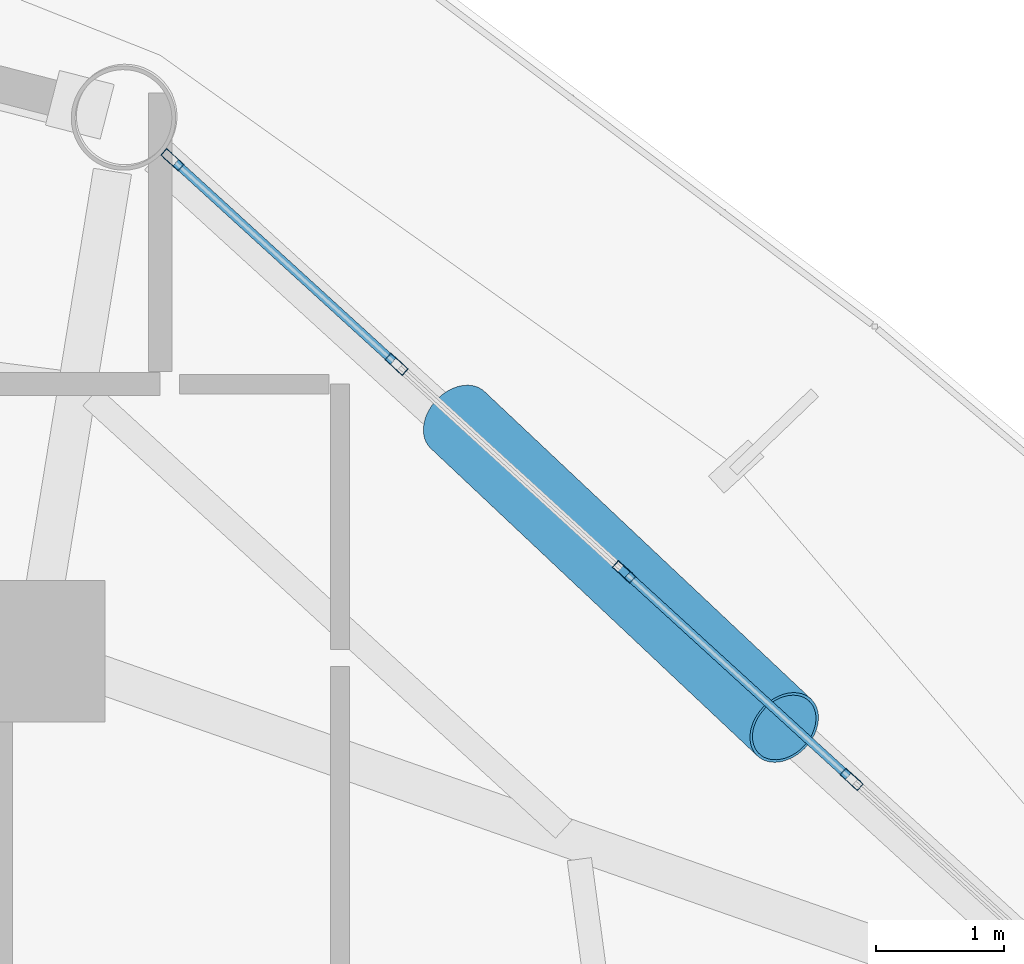
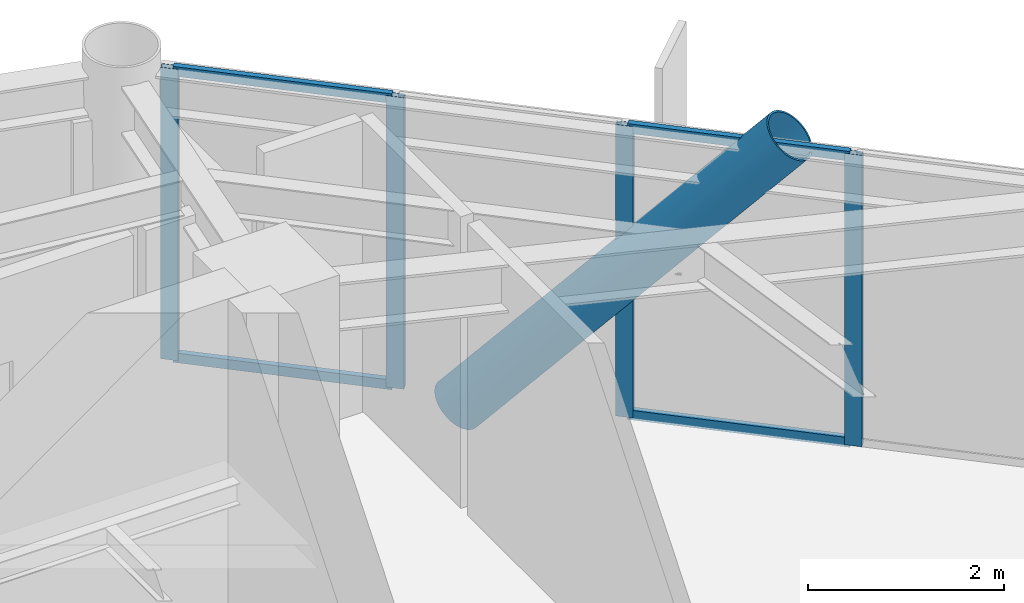
# One storey, part 17 of 23: 9 members, 1 element without a shape of its own.
"""IFC4 building model written with IfcOpenShell, lengths in metres."""

from ifc_helpers import new_model, si_unit, direction, frame, origin, origin_2d, place, context, subcontext, project, spatial, hollow_rectangle, hollow_circle, extrude, material, layer, layer_set, material_profile, profile_set, type_object, element, aggregate, save


model = new_model("IFC4")

# Units and contexts
model_context = context("Model", 3, precision=1e-05, world=origin(), true_north=direction((0.0, 1.0)))
body_context = subcontext(model_context, "Body", "Model", "MODEL_VIEW")
ifc_project = project(units=[si_unit("LENGTHUNIT", "METRE"), si_unit("AREAUNIT", "SQUARE_METRE"), si_unit("VOLUMEUNIT", "CUBIC_METRE"), si_unit("PLANEANGLEUNIT", "RADIAN"), si_unit("MASSUNIT", "GRAM", prefix="KILO")], contexts=[model_context])

# Site, building, storey
site_placement = place(None, origin())
site = spatial("IfcSite", under=ifc_project, at=site_placement, CompositionType="ELEMENT")
building_placement = place(site_placement, origin())
building = spatial("IfcBuilding", under=site, at=building_placement, Name="Varnakorn Sky Granary", CompositionType="ELEMENT")
storey_placement = place(building_placement, frame((0.0, 0.0, 114.89990234375)))
storey = spatial("IfcBuildingStorey", under=building, at=storey_placement, Name="L28", CompositionType="ELEMENT", Elevation=114.89990234375)

# Curtain wall, members
ifc_material_1 = material(Name="Anodised Bronze Aluminium Alloy 6063-T6", Category="aluminium")
ifc_layer = layer(ifc_material_1, 0.179931640625, Name="Anodised Bronze Aluminium Alloy 6063-T6")
ifc_layer_set = layer_set([ifc_layer], Name="Anodised Bronze Aluminium Alloy 6063-T6")
curtain_wall_type = type_object("IfcCurtainWallType", Name="CW-FRM-2", PredefinedType="USERDEFINED", material=ifc_layer_set)
curtain_wall_placement = place(storey_placement, origin())
curtain_wall = element("IfcCurtainWall", 1, at=curtain_wall_placement, inside=storey, type_object=curtain_wall_type, Name="Unitised Curtain Wall CW4 CW-L28-B02", ObjectType="CURTAIN WALL", PredefinedType="USERDEFINED")
ifc_material_profile_1 = material_profile(ifc_material_1, hollow_rectangle(XDim=0.070068359375, YDim=0.18505859375, WallThickness=0.00390625, at=origin_2d()), Name="ALU MULL 70x185")
ifc_profile_set_1 = profile_set([ifc_material_profile_1], Name="Anodised Bronze Aluminium Alloy 6063-T6")
member_type_1 = type_object("IfcMemberType", Name="CW-FRM-2-MULL", PredefinedType="MULLION", material=ifc_profile_set_1)
member_1_placement = place(storey_placement, frame((9.49462890625, 16.447265625, 0.0), z_axis=(0.0, 0.0, 1.0), x_axis=(0.673924759752, 0.738799985242, 0.0)))
member_1 = element("IfcMember", 2, at=member_1_placement, type_object=member_type_1, Name="CW4 mullion 1", PredefinedType="MULLION", context=body_context, shape_type="SweptSolid", body=[
    extrude(hollow_rectangle(XDim=0.070068359375, YDim=0.18505859375, WallThickness=0.00390625, at=origin_2d()), origin(), (0.0, 0.0, 1.0), 3.64013671875),
])
member_2_placement = place(storey_placement, frame((11.24072265625, 14.8544921875, 0.0), z_axis=(0.0, 0.0, 1.0), x_axis=(0.673924759752, 0.738799985242, 0.0)))
member_2 = element("IfcMember", 3, at=member_2_placement, type_object=member_type_1, Name="CW4 mullion 2", PredefinedType="MULLION", context=body_context, shape_type="SweptSolid", body=[
    extrude(hollow_rectangle(XDim=0.070068359375, YDim=0.18505859375, WallThickness=0.00390625, at=origin_2d()), origin(), (0.0, 0.0, 1.0), 3.64013671875),
])
member_3_placement = place(storey_placement, frame((13.0126953125, 13.238037109375, 0.0), z_axis=(0.0, 0.0, 1.0), x_axis=(0.673924759752, 0.738799985242, 0.0)))
member_3 = element("IfcMember", 4, at=member_3_placement, type_object=member_type_1, Name="CW4 mullion 3", PredefinedType="MULLION", context=body_context, shape_type="SweptSolid", body=[
    extrude(hollow_rectangle(XDim=0.070068359375, YDim=0.18505859375, WallThickness=0.00390625, at=origin_2d()), origin(), (0.0, 0.0, 1.0), 3.64013671875),
])
member_4_placement = place(storey_placement, frame((14.78466796875, 11.621826171875, 0.0), z_axis=(0.0, 0.0, 1.0), x_axis=(0.673924759752, 0.738799985242, 0.0)))
member_4 = element("IfcMember", 5, at=member_4_placement, type_object=member_type_1, Name="CW4 mullion 4", PredefinedType="MULLION", context=body_context, shape_type="SweptSolid", body=[
    extrude(hollow_rectangle(XDim=0.070068359375, YDim=0.18505859375, WallThickness=0.00390625, at=origin_2d()), origin(), (0.0, 0.0, 1.0), 3.64013671875),
])
ifc_material_profile_2 = material_profile(ifc_material_1, hollow_rectangle(XDim=0.06494140625, YDim=0.1201171875, WallThickness=0.00341796875, at=origin_2d()), Name="ALU TRAN 65x120")
ifc_profile_set_2 = profile_set([ifc_material_profile_2], Name="Anodised Bronze Aluminium Alloy 6063-T6")
member_type_2 = type_object("IfcMemberType", Name="CW-FRM-2-TRAN", PredefinedType="USERDEFINED", material=ifc_profile_set_2)
member_5_placement = place(storey_placement, frame((9.5205078125, 16.423828125, 0.03271484375), z_axis=(0.738778112969, -0.673948736773, 0.0), x_axis=(0.673948736773, 0.738778112969, 0.0)))
member_5 = element("IfcMember", 6, at=member_5_placement, type_object=member_type_2, Name="CW4 transom 1.1", ObjectType="TRANSOM", PredefinedType="USERDEFINED", context=body_context, shape_type="SweptSolid", body=[
    extrude(hollow_rectangle(XDim=0.06494140625, YDim=0.1201171875, WallThickness=0.00341796875, at=origin_2d()), origin(), (0.0, 0.0, 1.0), 2.29345703125),
])
member_6_placement = place(storey_placement, frame((9.5205078125, 16.423828125, 3.607666015625), z_axis=(0.738778112969, -0.673948736773, 0.0), x_axis=(0.673948736773, 0.738778112969, 0.0)))
member_6 = element("IfcMember", 7, at=member_6_placement, type_object=member_type_2, Name="CW4 transom 1.2", ObjectType="TRANSOM", PredefinedType="USERDEFINED", context=body_context, shape_type="SweptSolid", body=[
    extrude(hollow_rectangle(XDim=0.06494140625, YDim=0.1201171875, WallThickness=0.00341796875, at=origin_2d()), origin(), (0.0, 0.0, 1.0), 2.29345703125),
])
member_7_placement = place(storey_placement, frame((13.03857421875, 13.214599609375, 0.03271484375), z_axis=(0.738762361329, -0.673966003211, 0.0), x_axis=(0.673966003211, 0.738762361329, 0.0)))
member_7 = element("IfcMember", 8, at=member_7_placement, type_object=member_type_2, Name="CW4 transom 3.1", ObjectType="TRANSOM", PredefinedType="USERDEFINED", context=body_context, shape_type="SweptSolid", body=[
    extrude(hollow_rectangle(XDim=0.06494140625, YDim=0.1201171875, WallThickness=0.00341796875, at=origin_2d()), origin(), (0.0, 0.0, 1.0), 2.32861328125),
])
member_8_placement = place(storey_placement, frame((13.03857421875, 13.214599609375, 3.607666015625), z_axis=(0.738762361329, -0.673966003211, 0.0), x_axis=(0.673966003211, 0.738762361329, 0.0)))
member_8 = element("IfcMember", 9, at=member_8_placement, type_object=member_type_2, Name="CW4 transom 3.2", ObjectType="TRANSOM", PredefinedType="USERDEFINED", context=body_context, shape_type="SweptSolid", body=[
    extrude(hollow_rectangle(XDim=0.06494140625, YDim=0.1201171875, WallThickness=0.00341796875, at=origin_2d()), origin(), (0.0, 0.0, 1.0), 2.32861328125),
])
aggregate(curtain_wall, [member_1, member_2, member_3, member_4, member_5, member_6, member_7, member_8])

# Member
ifc_material_2 = material(Name="Steel S460M", Category="steel")
ifc_material_profile_3 = material_profile(ifc_material_2, hollow_circle(Radius=0.304931640625, WallThickness=0.022216796875, at=origin_2d()), Name="CHS 610x22")
ifc_profile_set_3 = profile_set([ifc_material_profile_3], Name="Steel S460M")
member_type_3 = type_object("IfcMemberType", Name="MB-DIAG-T1", PredefinedType="BRACE", material=ifc_profile_set_3)
member_9_placement = place(storey_placement, frame((11.71630859375, 14.42041015625, -0.1298828125), z_axis=(0.484413165286, -0.456049560868, 0.746567266446), x_axis=(0.685469332772, 0.728101499675, 0.0)))
element("IfcMember", 10, at=member_9_placement, inside=storey, type_object=member_type_3, Name="Perimeter CHS Diagrid Brace DG02 L28", PredefinedType="BRACE", context=body_context, shape_type="SweptSolid", body=[
    extrude(hollow_circle(Radius=0.304931640625, WallThickness=0.022216796875, at=origin_2d()), origin(), (0.0, 0.0, 1.0), 5.25048828125),
])

save(model, "model.ifc")
